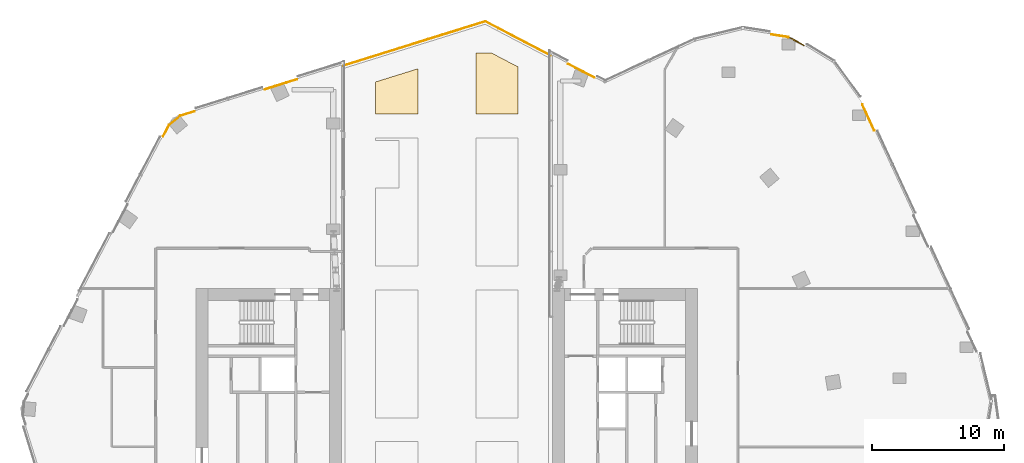
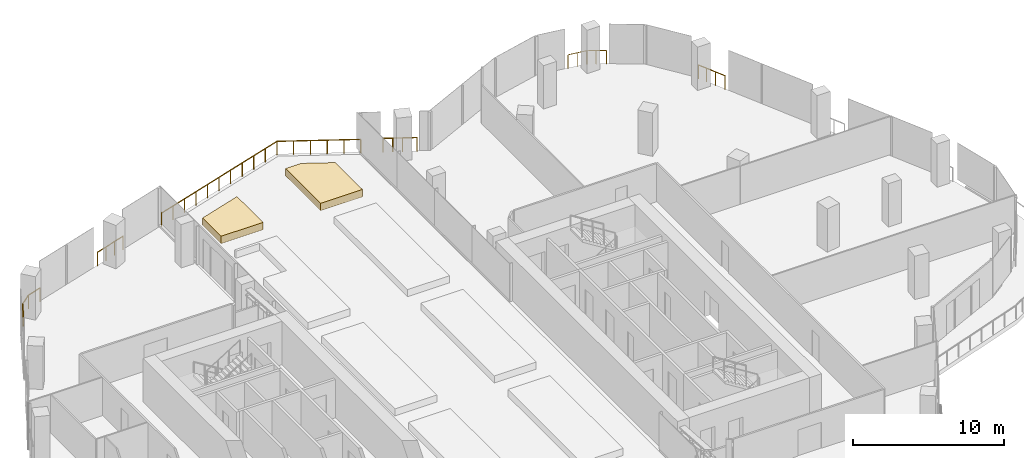
# One storey, part 26 of 26: 9 railings, 2 coverings.
"""IFC4 building model written with IfcOpenShell, lengths in metres."""

from ifc_helpers import new_model, si_unit, direction, frame, origin, origin_2d, place, context, subcontext, project, spatial, polyline, circle, outline, extrude, material, layer, layer_set, type_object, element, save


model = new_model("IFC4")

# Units and contexts
model_context = context("Model", 3, precision=1e-05, world=origin(), true_north=direction((0.0, 1.0)))
body_context = subcontext(model_context, "Body", "Model", "MODEL_VIEW")
ifc_project = project(units=[si_unit("LENGTHUNIT", "METRE"), si_unit("AREAUNIT", "SQUARE_METRE"), si_unit("VOLUMEUNIT", "CUBIC_METRE"), si_unit("PLANEANGLEUNIT", "RADIAN"), si_unit("MASSUNIT", "GRAM", prefix="KILO")], contexts=[model_context])

# Site, building, storey
site_placement = place(None, origin())
site = spatial("IfcSite", under=ifc_project, at=site_placement, CompositionType="ELEMENT")
building_placement = place(site_placement, origin())
building = spatial("IfcBuilding", under=site, at=building_placement, Name="Orlundy Tower", CompositionType="ELEMENT")
storey_placement = place(building_placement, frame((0.0, 0.0, 253.5)))
storey = spatial("IfcBuildingStorey", under=building, at=storey_placement, Name="L67", CompositionType="ELEMENT", Elevation=253.5)

# Coverings
ifc_material_1 = material(Name="Planted soil in precast concrete trough", Category="concrete")
ifc_layer = layer(ifc_material_1, 0.60009765625)
ifc_layer_set = layer_set([ifc_layer], Name="PLANTER box")
covering_type = type_object("IfcCoveringType", Name="PLANTER box", PredefinedType="USERDEFINED", material=ifc_layer_set)
covering_1_placement = place(storey_placement, origin())
element("IfcCovering", 1, at=covering_1_placement, inside=storey, type_object=covering_type, Name="PLANTER L67-26", ObjectType="PLANTER", PredefinedType="USERDEFINED", context=body_context, shape_type="SweptSolid", body=[
    extrude(outline(polyline([(-5.39990234375, 27.64599609375), (-2.199951171875, 28.64501953125), (-2.199951171875, 25.201904296875), (-5.39990234375, 25.201904296875), (-5.39990234375, 27.64599609375)])), origin(), (0.0, 0.0, 1.0), 0.60009765625),
])
covering_2_placement = place(storey_placement, origin())
element("IfcCovering", 2, at=covering_2_placement, inside=storey, type_object=covering_type, Name="PLANTER L67-213", ObjectType="PLANTER", PredefinedType="USERDEFINED", context=body_context, shape_type="SweptSolid", body=[
    extrude(outline(polyline([(2.199951171875, 29.840087890625), (3.385009765625, 29.840087890625), (5.39990234375, 28.783935546875), (5.39990234375, 25.201904296875), (2.199951171875, 25.201904296875), (2.199951171875, 29.840087890625)])), origin(), (0.0, 0.0, 1.0), 0.60009765625),
])

# Railings
ifc_material_2 = material(Name="Stainless steel bronze finish", Category="steel")
railing_type = type_object("IfcRailingType", Name="TG1 terrace guard", PredefinedType="GUARDRAIL", material=ifc_material_2)
railing_1_placement = place(storey_placement, frame((-21.4912109375, 23.530517578125, 0.0)))
element("IfcRailing", 3, at=railing_1_placement, inside=storey, type_object=railing_type, Name="Guard TG-L67-E01", PredefinedType="GUARDRAIL", context=body_context, shape_type="SweptSolid", body=[
    extrude(circle(Radius=0.02490234375, at=origin_2d()), frame((0.0, 0.0, 1.09521484375), z_axis=(0.464334150589, 0.885660090891, 0.0), x_axis=(-0.885660090891, 0.464334150589, 0.0)), (0.0, 0.0, 1.0), 0.947998046875),
    extrude(circle(Radius=0.02490234375, at=origin_2d()), frame((0.440185546875, 0.839599609375, 1.09521484375), z_axis=(0.768113089782, 0.640314205142, 0.0), x_axis=(-0.640314205142, 0.768113089782, 0.0)), (0.0, 0.0, 1.0), 1.10986328125),
    extrude(circle(Radius=0.02490234375, at=origin_2d()), frame((1.292724609375, 1.55029296875, 1.09521484375), z_axis=(0.954582679032, 0.297946150995, 0.0), x_axis=(-0.297946150995, 0.954582679032, 0.0)), (0.0, 0.0, 1.0), 1.141357421875),
    extrude(circle(Radius=0.02001953125, at=origin_2d()), origin(), (0.0, 0.0, 1.0), 1.070068359375),
    extrude(circle(Radius=0.02001953125, at=origin_2d()), frame((0.440185546875, 0.839599609375, 0.0)), (0.0, 0.0, 1.0), 1.070068359375),
    extrude(circle(Radius=0.02001953125, at=origin_2d()), frame((1.292724609375, 1.55029296875, 0.0)), (0.0, 0.0, 1.0), 1.070068359375),
    extrude(circle(Radius=0.02001953125, at=origin_2d()), frame((2.38232421875, 1.890380859375, 0.0)), (0.0, 0.0, 1.0), 1.070068359375),
])
railing_2_placement = place(storey_placement, frame((-13.77587890625, 27.08544921875, 0.0)))
element("IfcRailing", 4, at=railing_2_placement, inside=storey, type_object=railing_type, Name="Guard TG-L67-E04", PredefinedType="GUARDRAIL", context=body_context, shape_type="SweptSolid", body=[
    extrude(circle(Radius=0.02490234375, at=origin_2d()), frame((0.0, 0.0, 1.09521484375), z_axis=(0.954583364418, 0.297943955094, 0.0), x_axis=(-0.297943955094, 0.954583364418, 0.0)), (0.0, 0.0, 1.0), 2.519775390625),
    extrude(circle(Radius=0.02001953125, at=origin_2d()), origin(), (0.0, 0.0, 1.0), 1.070068359375),
    extrude(circle(Radius=0.02001953125, at=origin_2d()), frame((0.8017578125, 0.250244140625, 0.0)), (0.0, 0.0, 1.0), 1.070068359375),
    extrude(circle(Radius=0.02001953125, at=origin_2d()), frame((1.603515625, 0.50048828125, 0.0)), (0.0, 0.0, 1.0), 1.070068359375),
    extrude(circle(Radius=0.02001953125, at=origin_2d()), frame((2.4052734375, 0.750732421875, 0.0)), (0.0, 0.0, 1.0), 1.070068359375),
])
railing_3_placement = place(storey_placement, frame((25.88720703125, 31.03759765625, 0.0)))
element("IfcRailing", 5, at=railing_3_placement, inside=storey, type_object=railing_type, Name="Guard TG-L67-E12", PredefinedType="GUARDRAIL", context=body_context, shape_type="SweptSolid", body=[
    extrude(circle(Radius=0.02490234375, at=origin_2d()), frame((0.0, 0.0, 1.09521484375), z_axis=(0.912693975471, -0.408643741099, 0.0), x_axis=(0.408643741099, 0.912693975471, 0.0)), (0.0, 0.0, 1.0), 0.578369140625),
    extrude(circle(Radius=0.02490234375, at=origin_2d()), frame((0.52783203125, -0.236328125, 1.09521484375), z_axis=(0.853441735231, -0.521188262114, 0.0), x_axis=(0.521188262114, 0.853441735231, 0.0)), (0.0, 0.0, 1.0), 0.754638671875),
    extrude(circle(Radius=0.02490234375, at=origin_2d()), frame((1.171875, -0.629638671875, 1.09521484375), z_axis=(-0.880933589754, 0.473239907915, 0.0), x_axis=(-0.473239907915, -0.880933589754, 0.0)), (0.0, 0.0, 1.0), 1.27001953125),
    extrude(circle(Radius=0.02001953125, at=origin_2d()), origin(), (0.0, 0.0, 1.0), 1.070068359375),
    extrude(circle(Radius=0.02001953125, at=origin_2d()), frame((0.52783203125, -0.236328125, 0.0)), (0.0, 0.0, 1.0), 1.070068359375),
    extrude(circle(Radius=0.02001953125, at=origin_2d()), frame((1.171875, -0.629638671875, 0.0)), (0.0, 0.0, 1.0), 1.070068359375),
    extrude(circle(Radius=0.02001953125, at=origin_2d()), frame((0.6123046875, -0.3291015625, 0.0)), (0.0, 0.0, 1.0), 1.070068359375),
    extrude(circle(Radius=0.02001953125, at=origin_2d()), frame((0.052978515625, -0.028564453125, 0.0)), (0.0, 0.0, 1.0), 1.070068359375),
])
railing_4_placement = place(storey_placement, frame((10.319580078125, 28.41796875, 0.0)))
element("IfcRailing", 6, at=railing_4_placement, inside=storey, type_object=railing_type, Name="Guard TG-L67-E15", PredefinedType="GUARDRAIL", context=body_context, shape_type="SweptSolid", body=[
    extrude(circle(Radius=0.02490234375, at=origin_2d()), frame((0.0, 0.0, 1.09521484375), z_axis=(0.885712664663, -0.464233858799, 0.0), x_axis=(0.464233858799, 0.885712664663, 0.0)), (0.0, 0.0, 1.0), 0.965087890625),
    extrude(circle(Radius=0.02001953125, at=origin_2d()), origin(), (0.0, 0.0, 1.0), 1.070068359375),
    extrude(circle(Radius=0.02001953125, at=origin_2d()), frame((0.854736328125, -0.447998046875, 0.0)), (0.0, 0.0, 1.0), 1.070068359375),
])
railing_5_placement = place(storey_placement, frame((31.759033203125, 25.3291015625, 0.0)))
element("IfcRailing", 7, at=railing_5_placement, inside=storey, type_object=railing_type, Name="Guard TG-L67-E17", PredefinedType="GUARDRAIL", context=body_context, shape_type="SweptSolid", body=[
    extrude(circle(Radius=0.02490234375, at=origin_2d()), frame((0.0, 0.0, 1.09521484375), z_axis=(0.420033699553, -0.90750850753, 0.0), x_axis=(0.90750850753, 0.420033699553, 0.0)), (0.0, 0.0, 1.0), 1.491455078125),
    extrude(circle(Radius=0.02001953125, at=origin_2d()), origin(), (0.0, 0.0, 1.0), 1.070068359375),
    extrude(circle(Radius=0.02001953125, at=origin_2d()), frame((0.313232421875, -0.6767578125, 0.0)), (0.0, 0.0, 1.0), 1.070068359375),
    extrude(circle(Radius=0.02001953125, at=origin_2d()), frame((0.62646484375, -1.353515625, 0.0)), (0.0, 0.0, 1.0), 1.070068359375),
])
railing_6_placement = place(storey_placement, frame((24.59326171875, 31.24072265625, 0.0)))
element("IfcRailing", 8, at=railing_6_placement, inside=storey, type_object=railing_type, Name="Guard TG-L67-E18", PredefinedType="GUARDRAIL", context=body_context, shape_type="SweptSolid", body=[
    extrude(circle(Radius=0.02490234375, at=origin_2d()), frame((0.0, 0.0, 1.09521484375), z_axis=(0.987901614536, -0.155081913829, 0.0), x_axis=(0.155081913829, 0.987901614536, 0.0)), (0.0, 0.0, 1.0), 1.309814453125),
    extrude(circle(Radius=0.02001953125, at=origin_2d()), origin(), (0.0, 0.0, 1.0), 1.070068359375),
    extrude(circle(Radius=0.02001953125, at=origin_2d()), frame((0.64697265625, -0.1015625, 0.0)), (0.0, 0.0, 1.0), 1.070068359375),
    extrude(circle(Radius=0.02001953125, at=origin_2d()), frame((1.2939453125, -0.203125, 0.0)), (0.0, 0.0, 1.0), 1.070068359375),
])
railing_7_placement = place(storey_placement, frame((31.759033203125, 25.3291015625, 0.0)))
element("IfcRailing", 9, at=railing_7_placement, inside=storey, type_object=railing_type, Name="Guard TG-L67-E19", PredefinedType="GUARDRAIL", context=body_context, shape_type="SweptSolid", body=[
    extrude(circle(Radius=0.02490234375, at=origin_2d()), frame((0.0, 0.0, 1.09521484375), z_axis=(-0.42015217188, 0.907453664087, 0.0), x_axis=(-0.907453664087, -0.42015217188, 0.0)), (0.0, 0.0, 1.0), 0.65087890625),
    extrude(circle(Radius=0.02001953125, at=origin_2d()), origin(), (0.0, 0.0, 1.0), 1.070068359375),
    extrude(circle(Radius=0.02001953125, at=origin_2d()), frame((-0.2734375, 0.590576171875, 0.0)), (0.0, 0.0, 1.0), 1.070068359375),
])
railing_8_placement = place(storey_placement, frame((9.173828125, 29.0185546875, 0.0)))
element("IfcRailing", 10, at=railing_8_placement, inside=storey, type_object=railing_type, Name="Guard TG-L67-E110", PredefinedType="GUARDRAIL", context=body_context, shape_type="SweptSolid", body=[
    extrude(circle(Radius=0.02490234375, at=origin_2d()), frame((0.0, 0.0, 1.09521484375), z_axis=(0.885694821045, -0.464267901081, 0.0), x_axis=(0.464267901081, 0.885694821045, 0.0)), (0.0, 0.0, 1.0), 1.293701171875),
    extrude(circle(Radius=0.02001953125, at=origin_2d()), origin(), (0.0, 0.0, 1.0), 1.070068359375),
    extrude(circle(Radius=0.02001953125, at=origin_2d()), frame((0.57275390625, -0.30029296875, 0.0)), (0.0, 0.0, 1.0), 1.070068359375),
    extrude(circle(Radius=0.02001953125, at=origin_2d()), frame((1.145751953125, -0.6005859375, 0.0)), (0.0, 0.0, 1.0), 1.070068359375),
])
railing_9_placement = place(storey_placement, frame((-7.840087890625, 28.874755859375, 0.0)))
element("IfcRailing", 11, at=railing_9_placement, inside=storey, type_object=railing_type, Name="Guard TG-L67-21", PredefinedType="GUARDRAIL", context=body_context, shape_type="SweptSolid", body=[
    extrude(circle(Radius=0.02490234375, at=origin_2d()), frame((0.0, 0.0, 1.09521484375), z_axis=(0.954568238118, 0.297992413956, 0.0), x_axis=(-0.297992413956, 0.954568238118, 0.0)), (0.0, 0.0, 1.0), 11.265869140625),
    extrude(circle(Radius=0.02490234375, at=origin_2d()), frame((10.754150390625, 3.357177734375, 1.09521484375), z_axis=(0.885739581045, -0.464182501361, 0.0), x_axis=(0.464182501361, 0.885739581045, 0.0)), (0.0, 0.0, 1.0), 5.5615234375),
    extrude(circle(Radius=0.02001953125, at=origin_2d()), origin(), (0.0, 0.0, 1.0), 1.070068359375),
    extrude(circle(Radius=0.02001953125, at=origin_2d()), frame((1.075439453125, 0.335693359375, 0.0)), (0.0, 0.0, 1.0), 1.070068359375),
    extrude(circle(Radius=0.02001953125, at=origin_2d()), frame((2.15087890625, 0.67138671875, 0.0)), (0.0, 0.0, 1.0), 1.070068359375),
    extrude(circle(Radius=0.02001953125, at=origin_2d()), frame((3.226318359375, 1.007080078125, 0.0)), (0.0, 0.0, 1.0), 1.070068359375),
    extrude(circle(Radius=0.02001953125, at=origin_2d()), frame((4.3017578125, 1.3427734375, 0.0)), (0.0, 0.0, 1.0), 1.070068359375),
    extrude(circle(Radius=0.02001953125, at=origin_2d()), frame((5.376953125, 1.6787109375, 0.0)), (0.0, 0.0, 1.0), 1.070068359375),
    extrude(circle(Radius=0.02001953125, at=origin_2d()), frame((6.452392578125, 2.014404296875, 0.0)), (0.0, 0.0, 1.0), 1.070068359375),
    extrude(circle(Radius=0.02001953125, at=origin_2d()), frame((7.52783203125, 2.35009765625, 0.0)), (0.0, 0.0, 1.0), 1.070068359375),
    extrude(circle(Radius=0.02001953125, at=origin_2d()), frame((8.603271484375, 2.685791015625, 0.0)), (0.0, 0.0, 1.0), 1.070068359375),
    extrude(circle(Radius=0.02001953125, at=origin_2d()), frame((9.6787109375, 3.021484375, 0.0)), (0.0, 0.0, 1.0), 1.070068359375),
    extrude(circle(Radius=0.02001953125, at=origin_2d()), frame((10.754150390625, 3.357177734375, 0.0)), (0.0, 0.0, 1.0), 1.070068359375),
    extrude(circle(Radius=0.02001953125, at=origin_2d()), frame((11.7392578125, 2.8408203125, 0.0)), (0.0, 0.0, 1.0), 1.070068359375),
    extrude(circle(Radius=0.02001953125, at=origin_2d()), frame((12.724609375, 2.324462890625, 0.0)), (0.0, 0.0, 1.0), 1.070068359375),
    extrude(circle(Radius=0.02001953125, at=origin_2d()), frame((13.709716796875, 1.808349609375, 0.0)), (0.0, 0.0, 1.0), 1.070068359375),
    extrude(circle(Radius=0.02001953125, at=origin_2d()), frame((14.695068359375, 1.2919921875, 0.0)), (0.0, 0.0, 1.0), 1.070068359375),
    extrude(circle(Radius=0.02001953125, at=origin_2d()), frame((15.68017578125, 0.775634765625, 0.0)), (0.0, 0.0, 1.0), 1.070068359375),
])

save(model, "model.ifc")
